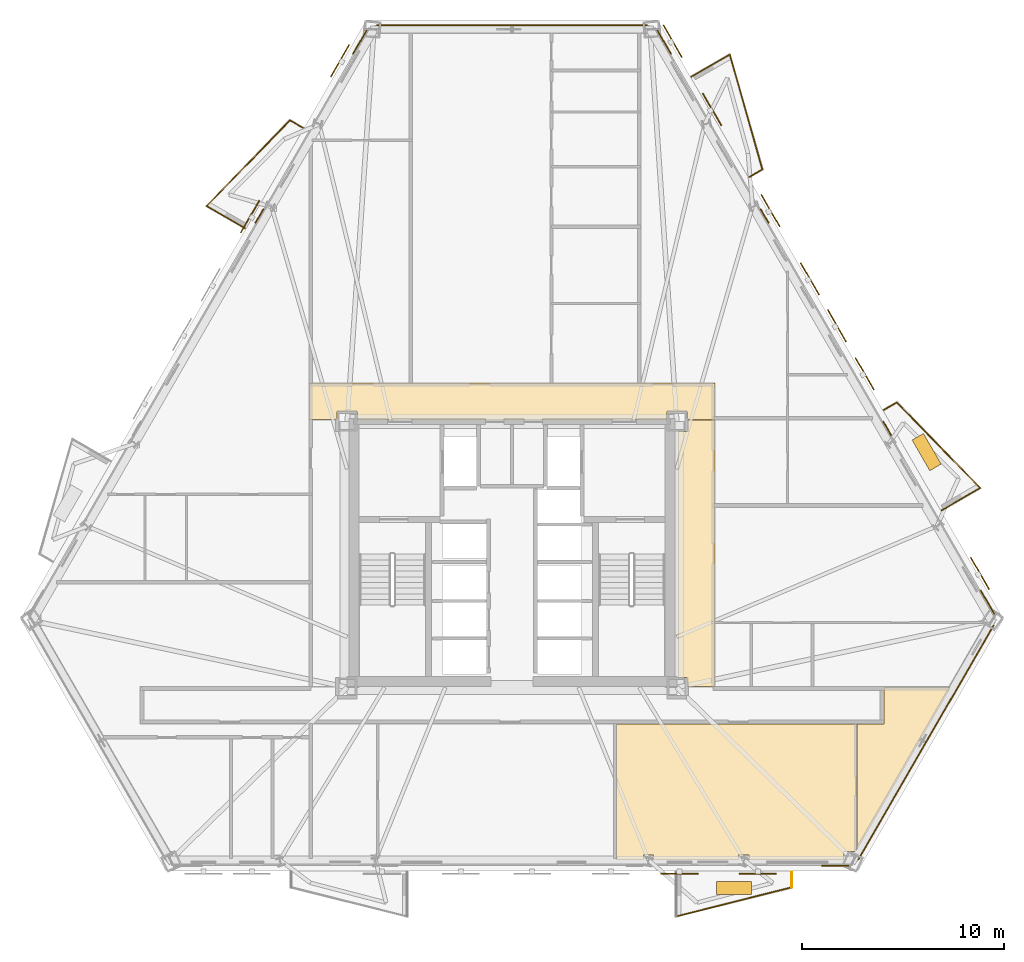
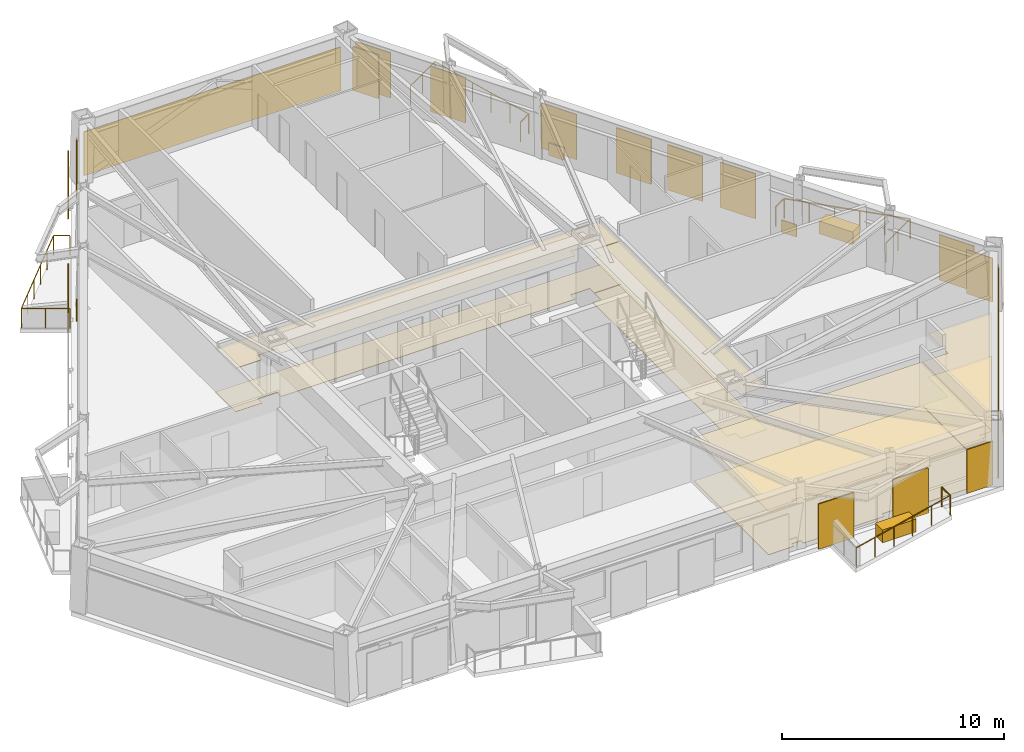
# One storey, part 10 of 10: 19 coverings, 11 railings, 11 shading devices.
"""IFC4 building model written with IfcOpenShell, lengths in metres."""

from ifc_helpers import new_model, si_unit, direction, frame, origin, origin_2d, place, context, subcontext, project, spatial, polyline, rectangle, circle, outline, extrude, material, layer, layer_set, type_object, element, save


model = new_model("IFC4")

# Units and contexts
model_context = context("Model", 3, precision=1e-05, world=origin(), true_north=direction((0.0, 1.0)))
body_context = subcontext(model_context, "Body", "Model", "MODEL_VIEW")
ifc_project = project(units=[si_unit("LENGTHUNIT", "METRE"), si_unit("AREAUNIT", "SQUARE_METRE"), si_unit("VOLUMEUNIT", "CUBIC_METRE"), si_unit("PLANEANGLEUNIT", "RADIAN"), si_unit("MASSUNIT", "GRAM", prefix="KILO")], contexts=[model_context])

# Site, building, storey
site_placement = place(None, origin())
site = spatial("IfcSite", under=ifc_project, at=site_placement, CompositionType="ELEMENT")
building_placement = place(site_placement, origin())
building = spatial("IfcBuilding", under=site, at=building_placement, Name="Oramaril Tower", CompositionType="ELEMENT")
storey_placement = place(building_placement, frame((0.0, 0.0, 63.300048828125)))
storey = spatial("IfcBuildingStorey", under=building, at=storey_placement, Name="L16", CompositionType="ELEMENT", Elevation=63.300048828125)

# Coverings
ifc_material_1 = material(Name="Mineral Fibre Acoustic Ceiling")
ifc_layer_1 = layer(ifc_material_1, 0.02001953125)
ifc_layer_set_1 = layer_set([ifc_layer_1], Name="CVT-CEIL")
covering_type_1 = type_object("IfcCoveringType", Name="CVT-CEIL", PredefinedType="CEILING", material=ifc_layer_set_1)
covering_1_placement = place(storey_placement, frame((0.0, 0.0, 2.39990234375)))
element("IfcCovering", 1, at=covering_1_placement, inside=storey, type_object=covering_type_1, Name="L16 Acoustic Suspended Ceiling 2", PredefinedType="CEILING", context=body_context, shape_type="SweptSolid", body=[
    extrude(outline(polyline([(47.530029296875, 24.239990234375), (46.14501953125, 24.239990234375), (46.14501953125, 24.64501953125), (45.155029296875, 24.64501953125), (45.155029296875, 24.25), (29.844970703125, 24.25), (29.844970703125, 24.64501953125), (28.85498046875, 24.64501953125), (28.85498046875, 24.239990234375), (27.469970703125, 24.239990234375), (27.469970703125, 26.050048828125), (47.530029296875, 26.050048828125), (47.530029296875, 24.239990234375)])), origin(), (0.0, 0.0, 1.0), 0.02001953125),
])
covering_2_placement = place(storey_placement, frame((0.0, 0.0, 2.39990234375)))
element("IfcCovering", 2, at=covering_2_placement, inside=storey, type_object=covering_type_1, Name="L16 Acoustic Suspended Ceiling 4", PredefinedType="CEILING", context=body_context, shape_type="SweptSolid", body=[
    extrude(outline(polyline([(47.530029296875, 11.050048828125), (46.14501953125, 11.050048828125), (46.14501953125, 11.4951171875), (45.719970703125, 11.4951171875), (45.719970703125, 23.655029296875), (46.14501953125, 23.655029296875), (46.14501953125, 24.219970703125), (47.530029296875, 24.219970703125), (47.530029296875, 11.050048828125)])), origin(), (0.0, 0.0, 1.0), 0.02001953125),
])
covering_3_placement = place(storey_placement, frame((0.0, 0.0, 2.39990234375)))
element("IfcCovering", 3, at=covering_3_placement, inside=storey, type_object=covering_type_1, Name="L16 Acoustic Suspended Ceiling 7", PredefinedType="CEILING", context=body_context, shape_type="SweptSolid", body=[
    extrude(outline(polyline([(54.510498046875, 2.885986328125), (53.91748046875, 2.885986328125), (53.91748046875, 2.478271484375), (49.216552734375, 2.478271484375), (49.216552734375, 2.702880859375), (48.71240234375, 2.702880859375), (48.71240234375, 2.478271484375), (44.48974609375, 2.478271484375), (44.48974609375, 2.702880859375), (43.998046875, 2.702880859375), (43.998046875, 2.478271484375), (42.662109375, 2.478271484375), (42.662109375, 9.199951171875), (54.534912109375, 9.199951171875), (54.534912109375, 2.92822265625), (54.510498046875, 2.885986328125)])), origin(), (0.0, 0.0, 1.0), 0.02001953125),
])
covering_4_placement = place(storey_placement, frame((0.0, 0.0, 2.39990234375)))
element("IfcCovering", 4, at=covering_4_placement, inside=storey, type_object=covering_type_1, Name="L16 Acoustic Suspended Ceiling 8", PredefinedType="CEILING", context=body_context, shape_type="SweptSolid", body=[
    extrude(outline(polyline([(59.1904296875, 10.991943359375), (54.5546875, 2.962890625), (54.5546875, 9.199951171875), (55.8798828125, 9.199951171875), (55.882080078125, 9.2001953125), (55.8837890625, 9.200439453125), (55.8857421875, 9.200927734375), (55.8876953125, 9.201416015625), (55.889404296875, 9.202392578125), (55.89111328125, 9.203369140625), (55.892578125, 9.20458984375), (55.89404296875, 9.205810546875), (55.8955078125, 9.207275390625), (55.896484375, 9.208984375), (55.897705078125, 9.210693359375), (55.8984375, 9.21240234375), (55.899169921875, 9.214111328125), (55.899658203125, 9.216064453125), (55.89990234375, 9.218017578125), (55.89990234375, 9.219970703125), (55.89990234375, 10.991943359375), (59.1904296875, 10.991943359375)])), origin(), (0.0, 0.0, 1.0), 0.02001953125),
])
ifc_material_2 = material(Name="Warm Cream Limestone", Category="masonry")
ifc_layer_2 = layer(ifc_material_2, 0.050048828125)
ifc_layer_set_2 = layer_set([ifc_layer_2], Name="CVT-CLD")
covering_type_2 = type_object("IfcCoveringType", Name="CVT-CLD", PredefinedType="CLADDING", material=ifc_layer_set_2)
covering_5_placement = place(storey_placement, frame((53.4873046875, 2.17724609375, 0.0400390625), z_axis=(0.0, 0.0, 1.0), x_axis=(1.0, 0.0, 0.0)))
element("IfcCovering", 5, at=covering_5_placement, inside=storey, type_object=covering_type_2, Name="L16 Warm Cream Limestone Cladding", PredefinedType="CLADDING", context=body_context, shape_type="SweptSolid", body=[
    extrude(rectangle(XDim=1.35009765625, YDim=0.050048828125, at=origin_2d()), origin(), (0.0, 0.0, 1.0), 2.4140625),
])
covering_6_placement = place(storey_placement, frame((57.972412109375, 8.2802734375, 0.0400390625), z_axis=(0.0, 0.0, 1.0), x_axis=(0.500003022996, 0.86602365845, 0.0)))
element("IfcCovering", 6, at=covering_6_placement, inside=storey, type_object=covering_type_2, Name="L16 Warm Cream Limestone Cladding", PredefinedType="CLADDING", context=body_context, shape_type="SweptSolid", body=[
    extrude(rectangle(XDim=13.371337890625, YDim=0.050048828125, at=origin_2d()), origin(), (0.0, 0.0, 1.0), 2.4140625),
])
for number, where, z_axis, x_axis, name in (
    (7, (61.01513671875, 15.2158203125, 0.0400390625), (0.0, 0.0, 1.0), (-0.4999984885, 0.866026276448, 0.0), "L16 Warm Cream Limestone Cladding"),
    (8, (45.02783203125, 42.906982421875, 0.0400390625), (0.0, 0.0, 1.0), (-0.4999984885, 0.866026276448, 0.0), "L16 Warm Cream Limestone Cladding"),
):
    element("IfcCovering", number, at=place(storey_placement, frame(where, z_axis=z_axis, x_axis=x_axis)), inside=storey, type_object=covering_type_2, Name=name, PredefinedType="CLADDING", context=body_context, shape_type="SweptSolid", body=[
        extrude(rectangle(XDim=1.35009765625, YDim=0.050048828125, at=origin_2d()), origin(), (0.0, 0.0, 1.0), 2.4140625),
    ])
for number, where, z_axis, x_axis, name in (
    (9, (56.05224609375, 23.81201171875, 0.0400390625), (0.0, 0.0, 1.0), (-0.4999984885, 0.866026276448, 0.0), "L16 Warm Cream Limestone Spandrel Cladding"),
    (10, (49.99072265625, 34.310791015625, 0.0400390625), (0.0, 0.0, 1.0), (-0.4999984885, 0.866026276448, 0.0), "L16 Warm Cream Limestone Spandrel Cladding"),
):
    element("IfcCovering", number, at=place(storey_placement, frame(where, z_axis=z_axis, x_axis=x_axis)), inside=storey, type_object=covering_type_2, Name=name, PredefinedType="CLADDING", context=body_context, shape_type="SweptSolid", body=[
        extrude(rectangle(XDim=0.800048828125, YDim=0.050048828125, at=origin_2d()), origin(), (0.0, 0.0, 1.0), 0.679931640625),
    ])
covering_7_placement = place(storey_placement, frame((37.5, 43.739501953125, 0.0400390625), z_axis=(0.0, 0.0, 1.0), x_axis=(-1.0, 0.0, 0.0)))
element("IfcCovering", 11, at=covering_7_placement, inside=storey, type_object=covering_type_2, Name="L16 Warm Cream Limestone Cladding", PredefinedType="CLADDING", context=body_context, shape_type="SweptSolid", body=[
    extrude(rectangle(XDim=13.371337890625, YDim=0.050048828125, at=origin_2d()), origin(), (0.0, 0.0, 1.0), 2.4140625),
])
covering_8_placement = place(storey_placement, frame((29.97216796875, 42.906982421875, 0.0400390625), z_axis=(0.0, 0.0, 1.0), x_axis=(-0.4999984885, -0.866026276448, 0.0)))
element("IfcCovering", 12, at=covering_8_placement, inside=storey, type_object=covering_type_2, Name="L16 Warm Cream Limestone Cladding", PredefinedType="CLADDING", context=body_context, shape_type="SweptSolid", body=[
    extrude(rectangle(XDim=1.35009765625, YDim=0.050048828125, at=origin_2d()), origin(), (0.0, 0.0, 1.0), 2.4140625),
])
covering_9_placement = place(storey_placement, frame((25.00927734375, 34.310791015625, 0.0400390625), z_axis=(0.0, 0.0, 1.0), x_axis=(-0.4999984885, -0.866026276448, 0.0)))
element("IfcCovering", 13, at=covering_9_placement, inside=storey, type_object=covering_type_2, Name="L16 Warm Cream Limestone Spandrel Cladding", PredefinedType="CLADDING", context=body_context, shape_type="SweptSolid", body=[
    extrude(rectangle(XDim=0.800048828125, YDim=0.050048828125, at=origin_2d()), origin(), (0.0, 0.0, 1.0), 0.679931640625),
])
for number, where, z_axis, x_axis, name in (
    (14, (48.47802734375, 1.07373046875, 0.0), (0.0, 0.0, 1.0), (1.0, 0.0, 0.0), "L16 Structural Tree Planter Box L16-BAL-S2"),
    (15, (58.00390625, 22.638916015625, 0.0), (0.0, 0.0, 1.0), (-0.5, 0.866025403784, 0.0), "L16 Structural Tree Planter Box L16-BAL-NE1"),
):
    element("IfcCovering", number, at=place(storey_placement, frame(where, z_axis=z_axis, x_axis=x_axis)), inside=storey, type_object=covering_type_2, Name=name, PredefinedType="CLADDING", context=body_context, shape_type="SweptSolid", body=[
        extrude(rectangle(XDim=1.75, YDim=0.64990234375, at=origin_2d()), origin(), (0.0, 0.0, 1.0), 0.699951171875),
    ])
ifc_material_3 = material(Name="Honed Quartzite Stone Flooring", Category="masonry")
ifc_layer_3 = layer(ifc_material_3, 0.02490234375)
ifc_layer_set_3 = layer_set([ifc_layer_3], Name="CVT-FLR")
covering_type_3 = type_object("IfcCoveringType", Name="CVT-FLR", PredefinedType="FLOORING", material=ifc_layer_set_3)
covering_10_placement = place(storey_placement, origin())
element("IfcCovering", 16, at=covering_10_placement, inside=storey, type_object=covering_type_3, Name="L16 Honed Stone Floor Finish 2", PredefinedType="FLOORING", context=body_context, shape_type="SweptSolid", body=[
    extrude(outline(polyline([(47.530029296875, 24.239990234375), (46.14501953125, 24.239990234375), (46.14501953125, 24.64501953125), (45.155029296875, 24.64501953125), (45.155029296875, 24.25), (29.844970703125, 24.25), (29.844970703125, 24.64501953125), (28.85498046875, 24.64501953125), (28.85498046875, 24.239990234375), (27.469970703125, 24.239990234375), (27.469970703125, 26.050048828125), (47.530029296875, 26.050048828125), (47.530029296875, 24.239990234375)])), origin(), (0.0, 0.0, 1.0), 0.02490234375),
])
covering_11_placement = place(storey_placement, origin())
element("IfcCovering", 17, at=covering_11_placement, inside=storey, type_object=covering_type_3, Name="L16 Honed Stone Floor Finish 4", PredefinedType="FLOORING", context=body_context, shape_type="SweptSolid", body=[
    extrude(outline(polyline([(47.530029296875, 11.050048828125), (46.14501953125, 11.050048828125), (46.14501953125, 11.4951171875), (45.719970703125, 11.4951171875), (45.719970703125, 23.655029296875), (46.14501953125, 23.655029296875), (46.14501953125, 24.219970703125), (47.530029296875, 24.219970703125), (47.530029296875, 11.050048828125)])), origin(), (0.0, 0.0, 1.0), 0.02490234375),
])
covering_12_placement = place(storey_placement, origin())
element("IfcCovering", 18, at=covering_12_placement, inside=storey, type_object=covering_type_3, Name="L16 Honed Stone Floor Finish 7", PredefinedType="FLOORING", context=body_context, shape_type="SweptSolid", body=[
    extrude(outline(polyline([(54.510498046875, 2.885986328125), (53.91748046875, 2.885986328125), (53.91748046875, 2.478271484375), (49.216552734375, 2.478271484375), (49.216552734375, 2.702880859375), (48.71240234375, 2.702880859375), (48.71240234375, 2.478271484375), (44.48974609375, 2.478271484375), (44.48974609375, 2.702880859375), (43.998046875, 2.702880859375), (43.998046875, 2.478271484375), (42.662109375, 2.478271484375), (42.662109375, 9.199951171875), (54.534912109375, 9.199951171875), (54.534912109375, 2.92822265625), (54.510498046875, 2.885986328125)])), origin(), (0.0, 0.0, 1.0), 0.02490234375),
])
covering_13_placement = place(storey_placement, origin())
element("IfcCovering", 19, at=covering_13_placement, inside=storey, type_object=covering_type_3, Name="L16 Honed Stone Floor Finish 8", PredefinedType="FLOORING", context=body_context, shape_type="SweptSolid", body=[
    extrude(outline(polyline([(59.1904296875, 10.991943359375), (54.5546875, 2.962890625), (54.5546875, 9.199951171875), (55.8798828125, 9.199951171875), (55.882080078125, 9.2001953125), (55.8837890625, 9.200439453125), (55.8857421875, 9.200927734375), (55.8876953125, 9.201416015625), (55.889404296875, 9.202392578125), (55.89111328125, 9.203369140625), (55.892578125, 9.20458984375), (55.89404296875, 9.205810546875), (55.8955078125, 9.207275390625), (55.896484375, 9.208984375), (55.897705078125, 9.210693359375), (55.8984375, 9.21240234375), (55.899169921875, 9.214111328125), (55.899658203125, 9.216064453125), (55.89990234375, 9.218017578125), (55.89990234375, 9.219970703125), (55.89990234375, 10.991943359375), (59.1904296875, 10.991943359375)])), origin(), (0.0, 0.0, 1.0), 0.02490234375),
])

# Railings
ifc_material_4 = material(Name="Stainless Steel 316L", Category="steel")
railing_type = type_object("IfcRailingType", Name="RLT-GRD", PredefinedType="GUARDRAIL", material=ifc_material_4)
railing_1_placement = place(storey_placement, frame((51.343017578125, 1.8623046875, 0.0)))
element("IfcRailing", 20, at=railing_1_placement, inside=storey, type_object=railing_type, Name="L16 Balcony Guardrail L16-BAL-S2.1", PredefinedType="GUARDRAIL", context=body_context, shape_type="SweptSolid", body=[
    extrude(circle(Radius=0.02392578125, at=origin_2d()), frame((0.0, 0.0, 1.076171875), z_axis=(0.0, -1.0, 0.0), x_axis=(1.0, 0.0, 0.0)), (0.0, 0.0, 1.0), 0.741943359375),
    extrude(circle(Radius=0.02099609375, at=origin_2d()), origin(), (0.0, 0.0, 1.0), 1.052001953125),
    extrude(circle(Radius=0.02099609375, at=origin_2d()), frame((0.0, -0.741943359375, 0.0)), (0.0, 0.0, 1.0), 1.052001953125),
])
railing_2_placement = place(storey_placement, frame((51.343017578125, 1.120361328125, 0.0)))
element("IfcRailing", 21, at=railing_2_placement, inside=storey, type_object=railing_type, Name="L16 Balcony Guardrail L16-BAL-S2.2", PredefinedType="GUARDRAIL", context=body_context, shape_type="SweptSolid", body=[
    extrude(circle(Radius=0.02392578125, at=origin_2d()), frame((0.0, 0.0, 1.076171875), z_axis=(-0.969443611257, -0.245314256807, 0.0), x_axis=(0.245314256807, -0.969443611257, 0.0)), (0.0, 0.0, 1.0), 5.91064453125),
    extrude(circle(Radius=0.02099609375, at=origin_2d()), origin(), (0.0, 0.0, 1.0), 1.052001953125),
    extrude(circle(Radius=0.02099609375, at=origin_2d()), frame((-1.14599609375, -0.2900390625, 0.0)), (0.0, 0.0, 1.0), 1.052001953125),
    extrude(circle(Radius=0.02099609375, at=origin_2d()), frame((-2.2919921875, -0.580078125, 0.0)), (0.0, 0.0, 1.0), 1.052001953125),
    extrude(circle(Radius=0.02099609375, at=origin_2d()), frame((-3.43798828125, -0.869873046875, 0.0)), (0.0, 0.0, 1.0), 1.052001953125),
    extrude(circle(Radius=0.02099609375, at=origin_2d()), frame((-4.583984375, -1.159912109375, 0.0)), (0.0, 0.0, 1.0), 1.052001953125),
    extrude(circle(Radius=0.02099609375, at=origin_2d()), frame((-5.72998046875, -1.449951171875, 0.0)), (0.0, 0.0, 1.0), 1.052001953125),
])
railing_3_placement = place(storey_placement, frame((55.888427734375, 24.725830078125, 0.0)))
element("IfcRailing", 22, at=railing_3_placement, inside=storey, type_object=railing_type, Name="L16 Balcony Guardrail L16-BAL-NE1.1", PredefinedType="GUARDRAIL", context=body_context, shape_type="SweptSolid", body=[
    extrude(circle(Radius=0.02392578125, at=origin_2d()), frame((0.0, 0.0, 1.076171875), z_axis=(0.865966403178, 0.500102178127, 0.0), x_axis=(-0.500102178127, 0.865966403178, 0.0)), (0.0, 0.0, 1.0), 0.741943359375),
    extrude(circle(Radius=0.02099609375, at=origin_2d()), origin(), (0.0, 0.0, 1.0), 1.052001953125),
    extrude(circle(Radius=0.02099609375, at=origin_2d()), frame((0.642578125, 0.37109375, 0.0)), (0.0, 0.0, 1.0), 1.052001953125),
])
railing_4_placement = place(storey_placement, frame((56.531005859375, 25.096923828125, 0.0)))
element("IfcRailing", 23, at=railing_4_placement, inside=storey, type_object=railing_type, Name="L16 Balcony Guardrail L16-BAL-NE1.2", PredefinedType="GUARDRAIL", context=body_context, shape_type="SweptSolid", body=[
    extrude(circle(Radius=0.02392578125, at=origin_2d()), frame((0.0, 0.0, 1.076171875), z_axis=(0.697165686546, -0.716910040034, 0.0), x_axis=(0.716910040034, 0.697165686546, 0.0)), (0.0, 0.0, 1.0), 5.910400390625),
    extrude(circle(Radius=0.02099609375, at=origin_2d()), origin(), (0.0, 0.0, 1.0), 1.052001953125),
    extrude(circle(Radius=0.02099609375, at=origin_2d()), frame((0.82421875, -0.847412109375, 0.0)), (0.0, 0.0, 1.0), 1.052001953125),
    extrude(circle(Radius=0.02099609375, at=origin_2d()), frame((1.648193359375, -1.69482421875, 0.0)), (0.0, 0.0, 1.0), 1.052001953125),
    extrude(circle(Radius=0.02099609375, at=origin_2d()), frame((2.472412109375, -2.54248046875, 0.0)), (0.0, 0.0, 1.0), 1.052001953125),
    extrude(circle(Radius=0.02099609375, at=origin_2d()), frame((3.29638671875, -3.389892578125, 0.0)), (0.0, 0.0, 1.0), 1.052001953125),
    extrude(circle(Radius=0.02099609375, at=origin_2d()), frame((4.12060546875, -4.2373046875, 0.0)), (0.0, 0.0, 1.0), 1.052001953125),
])
railing_5_placement = place(storey_placement, frame((60.651611328125, 20.859619140625, 0.0)))
element("IfcRailing", 24, at=railing_5_placement, inside=storey, type_object=railing_type, Name="L16 Balcony Guardrail L16-BAL-NE1.3", PredefinedType="GUARDRAIL", context=body_context, shape_type="SweptSolid", body=[
    extrude(circle(Radius=0.02392578125, at=origin_2d()), frame((0.0, 0.0, 1.076171875), z_axis=(-0.866020500697, -0.5000084923, 0.0), x_axis=(0.5000084923, -0.866020500697, 0.0)), (0.0, 0.0, 1.0), 2.19189453125),
    extrude(circle(Radius=0.02099609375, at=origin_2d()), origin(), (0.0, 0.0, 1.0), 1.052001953125),
    extrude(circle(Radius=0.02099609375, at=origin_2d()), frame((-0.94921875, -0.5478515625, 0.0)), (0.0, 0.0, 1.0), 1.052001953125),
    extrude(circle(Radius=0.02099609375, at=origin_2d()), frame((-1.898193359375, -1.095947265625, 0.0)), (0.0, 0.0, 1.0), 1.052001953125),
])
railing_6_placement = place(storey_placement, frame((46.372802734375, 41.207275390625, 0.0)))
element("IfcRailing", 25, at=railing_6_placement, inside=storey, type_object=railing_type, Name="L16 Balcony Guardrail L16-BAL-NE2.1", PredefinedType="GUARDRAIL", context=body_context, shape_type="SweptSolid", body=[
    extrude(circle(Radius=0.02392578125, at=origin_2d()), frame((0.0, 0.0, 1.076171875), z_axis=(0.866048343933, 0.499960264392, 0.0), x_axis=(-0.499960264392, 0.866048343933, 0.0)), (0.0, 0.0, 1.0), 2.192138671875),
    extrude(circle(Radius=0.02099609375, at=origin_2d()), origin(), (0.0, 0.0, 1.0), 1.052001953125),
    extrude(circle(Radius=0.02099609375, at=origin_2d()), frame((0.94921875, 0.5478515625, 0.0)), (0.0, 0.0, 1.0), 1.052001953125),
    extrude(circle(Radius=0.02099609375, at=origin_2d()), frame((1.8984375, 1.095947265625, 0.0)), (0.0, 0.0, 1.0), 1.052001953125),
])
railing_7_placement = place(storey_placement, frame((48.271240234375, 42.30322265625, 0.0)))
element("IfcRailing", 26, at=railing_7_placement, inside=storey, type_object=railing_type, Name="L16 Balcony Guardrail L16-BAL-NE2.2", PredefinedType="GUARDRAIL", context=body_context, shape_type="SweptSolid", body=[
    extrude(circle(Radius=0.02392578125, at=origin_2d()), frame((0.0, 0.0, 1.076171875), z_axis=(0.27224886544, -0.962226873074, 0.0), x_axis=(0.962226873074, 0.27224886544, 0.0)), (0.0, 0.0, 1.0), 5.910400390625),
    extrude(circle(Radius=0.02099609375, at=origin_2d()), origin(), (0.0, 0.0, 1.0), 1.052001953125),
    extrude(circle(Radius=0.02099609375, at=origin_2d()), frame((0.32177734375, -1.137451171875, 0.0)), (0.0, 0.0, 1.0), 1.052001953125),
    extrude(circle(Radius=0.02099609375, at=origin_2d()), frame((0.6435546875, -2.27490234375, 0.0)), (0.0, 0.0, 1.0), 1.052001953125),
    extrude(circle(Radius=0.02099609375, at=origin_2d()), frame((0.965576171875, -3.412353515625, 0.0)), (0.0, 0.0, 1.0), 1.052001953125),
    extrude(circle(Radius=0.02099609375, at=origin_2d()), frame((1.287353515625, -4.5498046875, 0.0)), (0.0, 0.0, 1.0), 1.052001953125),
    extrude(circle(Radius=0.02099609375, at=origin_2d()), frame((1.609130859375, -5.687255859375, 0.0)), (0.0, 0.0, 1.0), 1.052001953125),
])
railing_8_placement = place(storey_placement, frame((49.88037109375, 36.615966796875, 0.0)))
element("IfcRailing", 27, at=railing_8_placement, inside=storey, type_object=railing_type, Name="L16 Balcony Guardrail L16-BAL-NE2.3", PredefinedType="GUARDRAIL", context=body_context, shape_type="SweptSolid", body=[
    extrude(circle(Radius=0.02392578125, at=origin_2d()), frame((0.0, 0.0, 1.076171875), z_axis=(-0.866108878364, -0.499855389907, 0.0), x_axis=(0.499855389907, -0.866108878364, 0.0)), (0.0, 0.0, 1.0), 0.741943359375),
    extrude(circle(Radius=0.02099609375, at=origin_2d()), origin(), (0.0, 0.0, 1.0), 1.052001953125),
    extrude(circle(Radius=0.02099609375, at=origin_2d()), frame((-0.642578125, -0.370849609375, 0.0)), (0.0, 0.0, 1.0), 1.052001953125),
])
railing_9_placement = place(storey_placement, frame((24.299560546875, 33.7119140625, 0.0)))
element("IfcRailing", 28, at=railing_9_placement, inside=storey, type_object=railing_type, Name="L16 Balcony Guardrail L16-BAL-NW1.1", PredefinedType="GUARDRAIL", context=body_context, shape_type="SweptSolid", body=[
    extrude(circle(Radius=0.02392578125, at=origin_2d()), frame((0.0, 0.0, 1.076171875), z_axis=(-0.866020500697, 0.5000084923, 0.0), x_axis=(-0.5000084923, -0.866020500697, 0.0)), (0.0, 0.0, 1.0), 2.19189453125),
    extrude(circle(Radius=0.02099609375, at=origin_2d()), origin(), (0.0, 0.0, 1.0), 1.052001953125),
    extrude(circle(Radius=0.02099609375, at=origin_2d()), frame((-0.94921875, 0.5478515625, 0.0)), (0.0, 0.0, 1.0), 1.052001953125),
    extrude(circle(Radius=0.02099609375, at=origin_2d()), frame((-1.898193359375, 1.095947265625, 0.0)), (0.0, 0.0, 1.0), 1.052001953125),
])
railing_10_placement = place(storey_placement, frame((22.4013671875, 34.807861328125, 0.0)))
element("IfcRailing", 29, at=railing_10_placement, inside=storey, type_object=railing_type, Name="L16 Balcony Guardrail L16-BAL-NW1.2", PredefinedType="GUARDRAIL", context=body_context, shape_type="SweptSolid", body=[
    extrude(circle(Radius=0.02392578125, at=origin_2d()), frame((0.0, 0.0, 1.076171875), z_axis=(0.697186915353, 0.716889395277, 0.0), x_axis=(-0.716889395277, 0.697186915353, 0.0)), (0.0, 0.0, 1.0), 5.91064453125),
    extrude(circle(Radius=0.02099609375, at=origin_2d()), origin(), (0.0, 0.0, 1.0), 1.052001953125),
    extrude(circle(Radius=0.02099609375, at=origin_2d()), frame((0.82421875, 0.847412109375, 0.0)), (0.0, 0.0, 1.0), 1.052001953125),
    extrude(circle(Radius=0.02099609375, at=origin_2d()), frame((1.6484375, 1.69482421875, 0.0)), (0.0, 0.0, 1.0), 1.052001953125),
    extrude(circle(Radius=0.02099609375, at=origin_2d()), frame((2.472412109375, 2.54248046875, 0.0)), (0.0, 0.0, 1.0), 1.052001953125),
    extrude(circle(Radius=0.02099609375, at=origin_2d()), frame((3.296630859375, 3.389892578125, 0.0)), (0.0, 0.0, 1.0), 1.052001953125),
    extrude(circle(Radius=0.02099609375, at=origin_2d()), frame((4.120849609375, 4.2373046875, 0.0)), (0.0, 0.0, 1.0), 1.052001953125),
])
railing_11_placement = place(storey_placement, frame((26.522216796875, 39.045166015625, 0.0)))
element("IfcRailing", 30, at=railing_11_placement, inside=storey, type_object=railing_type, Name="L16 Balcony Guardrail L16-BAL-NW1.3", PredefinedType="GUARDRAIL", context=body_context, shape_type="SweptSolid", body=[
    extrude(circle(Radius=0.02392578125, at=origin_2d()), frame((0.0, 0.0, 1.076171875), z_axis=(0.865884080729, -0.500244698863, 0.0), x_axis=(0.500244698863, 0.865884080729, 0.0)), (0.0, 0.0, 1.0), 0.741943359375),
    extrude(circle(Radius=0.02099609375, at=origin_2d()), origin(), (0.0, 0.0, 1.0), 1.052001953125),
    extrude(circle(Radius=0.02099609375, at=origin_2d()), frame((0.642333984375, -0.37109375, 0.0)), (0.0, 0.0, 1.0), 1.052001953125),
])

# Shading devices
for number, where, z_axis, x_axis, name in (
    (31, (45.78369140625, 1.790283203125, -0.02001953125), (0.0, 0.0, 1.0), (1.0, 0.0, 0.0), "L16 Perforated Ceramic Solar Screen"),
    (32, (49.657470703125, 1.790283203125, -0.02001953125), (0.0, 0.0, 1.0), (1.0, 0.0, 0.0), "L16 Perforated Ceramic Solar Screen"),
    (33, (60.640625, 16.638671875, -0.02001953125), (0.0, 0.0, 1.0), (-0.4999984885, 0.866026276448, 0.0), "L16 Perforated Ceramic Solar Screen"),
    (34, (52.232421875, 31.2021484375, -0.02001953125), (0.0, 0.0, 1.0), (-0.4999984885, 0.866026276448, 0.0), "L16 Perforated Ceramic Solar Screen"),
    (35, (50.282470703125, 34.57958984375, -0.02001953125), (0.0, 0.0, 1.0), (-0.4999984885, 0.866026276448, 0.0), "L16 Perforated Ceramic Solar Screen"),
    (36, (47.3955078125, 39.580078125, -0.02001953125), (0.0, 0.0, 1.0), (-0.4999984885, 0.866026276448, 0.0), "L16 Perforated Ceramic Solar Screen"),
    (37, (45.4453125, 42.957763671875, -0.02001953125), (0.0, 0.0, 1.0), (-0.4999984885, 0.866026276448, 0.0), "L16 Perforated Ceramic Solar Screen"),
    (38, (54.944091796875, 26.505615234375, -0.02001953125), (0.0, 0.0, 1.0), (-0.4999984885, 0.866026276448, 0.0), "L16 Perforated Ceramic Solar Screen"),
    (39, (53.568115234375, 28.888671875, -0.02001953125), (0.0, 0.0, 1.0), (-0.4999984885, 0.866026276448, 0.0), "L16 Perforated Ceramic Solar Screen"),
    (40, (24.551025390625, 34.291259765625, -0.02001953125), (0.0, 0.0, 1.0), (-0.4999984885, -0.866026276448, 0.0), "L16 Perforated Ceramic Solar Screen"),
    (41, (28.99609375, 41.990234375, -0.02001953125), (0.0, 0.0, 1.0), (-0.4999984885, -0.866026276448, 0.0), "L16 Perforated Ceramic Solar Screen"),
):
    element("IfcShadingDevice", number, at=place(storey_placement, frame(where, z_axis=z_axis, x_axis=x_axis)), inside=storey, Name=name, ObjectType="SCREEN", PredefinedType="USERDEFINED", context=body_context, shape_type="SweptSolid", body=[
        extrude(rectangle(XDim=1.8330078125, YDim=0.050048828125, at=origin_2d()), origin(), (0.0, 0.0, 1.0), 2.493896484375),
    ])

save(model, "model.ifc")
